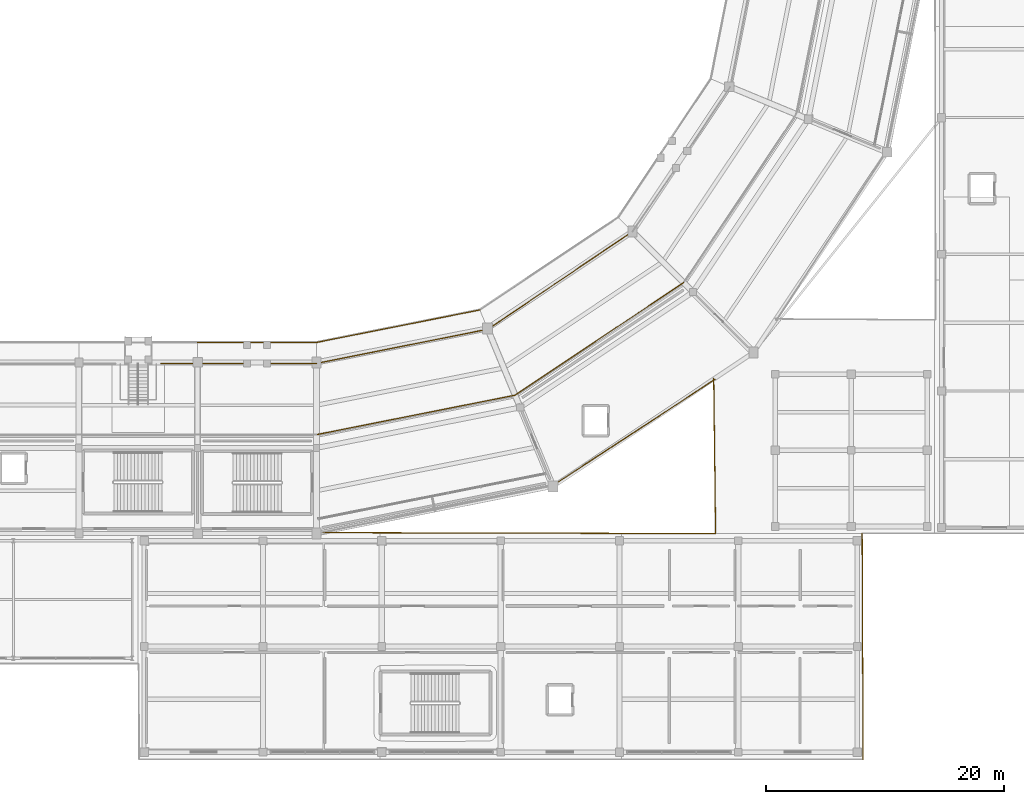
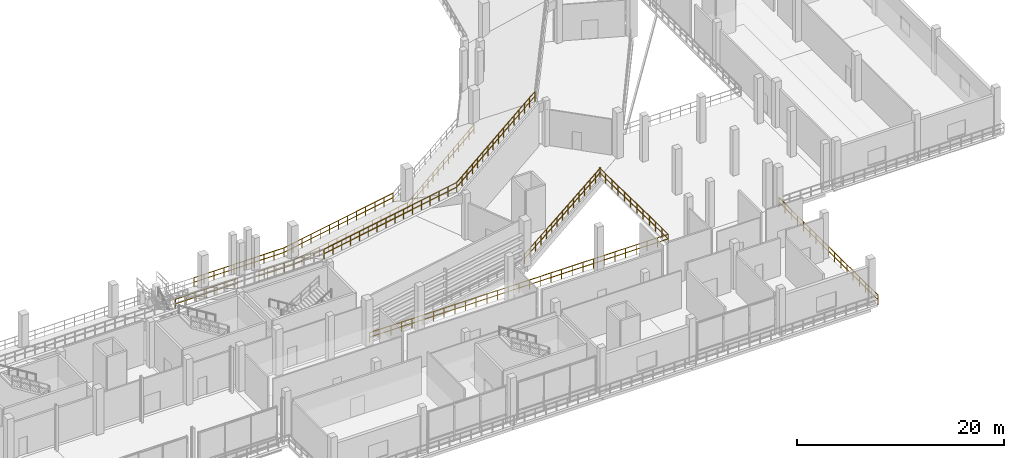
# One storey, part 112 of 127: 12 railings.
"""IFC4 building model written with IfcOpenShell, lengths in metres."""

from ifc_helpers import new_model, si_unit, direction, frame, origin, origin_2d, place, context, subcontext, project, spatial, circle, extrude, material, layer, layer_set, type_object, element, save


model = new_model("IFC4")

# Units and contexts
model_context = context("Model", 3, precision=1e-05, world=origin(), true_north=direction((0.0, 1.0)))
body_context = subcontext(model_context, "Body", "Model", "MODEL_VIEW")
ifc_project = project(units=[si_unit("LENGTHUNIT", "METRE"), si_unit("AREAUNIT", "SQUARE_METRE"), si_unit("VOLUMEUNIT", "CUBIC_METRE"), si_unit("PLANEANGLEUNIT", "RADIAN"), si_unit("MASSUNIT", "GRAM", prefix="KILO")], contexts=[model_context])

# Site, building, storey
site_placement = place(None, origin())
site = spatial("IfcSite", under=ifc_project, at=site_placement, CompositionType="ELEMENT")
building_placement = place(site_placement, origin())
building = spatial("IfcBuilding", under=site, at=building_placement, Name="Candeia Ridge Stadium", CompositionType="ELEMENT")
storey_placement = place(building_placement, frame((0.0, 0.0, 10.800048828125)))
storey = spatial("IfcBuildingStorey", under=building, at=storey_placement, Name="L02", CompositionType="ELEMENT", Elevation=10.800048828125)

# Railings
ifc_material = material(Name="Galvanized Powder-Coated Steel", Category="steel")
ifc_layer = layer(ifc_material, 0.074951171875, Name="Galvanized Powder-Coated Steel", Category="steel")
ifc_layer_set = layer_set([ifc_layer], Name="Galvanized Powder-Coated Steel")
railing_type = type_object("IfcRailingType", Name="Spectator Bowl Front Guardrail 1120", PredefinedType="GUARDRAIL", material=ifc_layer_set)
railing_1_placement = place(storey_placement, frame((131.0, 35.080078125, 0.39990234375)))
element("IfcRailing", 1, at=railing_1_placement, inside=storey, type_object=railing_type, Name="Stand T2 front safety guardrail bay 25", PredefinedType="GUARDRAIL", context=body_context, shape_type="SweptSolid", body=[
    extrude(circle(Radius=0.02392578125, at=origin_2d()), frame((0.0, 0.0, 1.09619140625), z_axis=(1.0, 0.0, 0.0), x_axis=(0.0, 1.0, 0.0)), (0.0, 0.0, 1.0), 10.0),
    extrude(circle(Radius=0.02392578125, at=origin_2d()), frame((0.0, 0.0, 0.56005859375), z_axis=(1.0, 0.0, 0.0), x_axis=(0.0, 1.0, 0.0)), (0.0, 0.0, 1.0), 10.0),
    extrude(circle(Radius=0.02099609375, at=origin_2d()), origin(), (0.0, 0.0, 1.0), 1.072021484375),
    extrude(circle(Radius=0.02099609375, at=origin_2d()), frame((1.111083984375, 0.0, 0.0)), (0.0, 0.0, 1.0), 1.072021484375),
    extrude(circle(Radius=0.02099609375, at=origin_2d()), frame((2.22216796875, 0.0, 0.0)), (0.0, 0.0, 1.0), 1.072021484375),
    extrude(circle(Radius=0.02099609375, at=origin_2d()), frame((3.333251953125, 0.0, 0.0)), (0.0, 0.0, 1.0), 1.072021484375),
    extrude(circle(Radius=0.02099609375, at=origin_2d()), frame((4.4443359375, 0.0, 0.0)), (0.0, 0.0, 1.0), 1.072021484375),
    extrude(circle(Radius=0.02099609375, at=origin_2d()), frame((5.5556640625, 0.0, 0.0)), (0.0, 0.0, 1.0), 1.072021484375),
    extrude(circle(Radius=0.02099609375, at=origin_2d()), frame((6.666748046875, 0.0, 0.0)), (0.0, 0.0, 1.0), 1.072021484375),
    extrude(circle(Radius=0.02099609375, at=origin_2d()), frame((7.77783203125, 0.0, 0.0)), (0.0, 0.0, 1.0), 1.072021484375),
    extrude(circle(Radius=0.02099609375, at=origin_2d()), frame((8.888916015625, 0.0, 0.0)), (0.0, 0.0, 1.0), 1.072021484375),
    extrude(circle(Radius=0.02099609375, at=origin_2d()), frame((10.0, 0.0, 0.0)), (0.0, 0.0, 1.0), 1.072021484375),
])
railing_2_placement = place(storey_placement, frame((141.0, 35.080078125, 0.39990234375)))
element("IfcRailing", 2, at=railing_2_placement, inside=storey, type_object=railing_type, Name="Stand T2 front safety guardrail bay 26", PredefinedType="GUARDRAIL", context=body_context, shape_type="SweptSolid", body=[
    extrude(circle(Radius=0.02392578125, at=origin_2d()), frame((0.0, 0.0, 1.09619140625), z_axis=(0.980787153323, 0.195080905976, 0.0), x_axis=(-0.195080905976, 0.980787153323, 0.0)), (0.0, 0.0, 1.0), 14.015380859375),
    extrude(circle(Radius=0.02392578125, at=origin_2d()), frame((0.0, 0.0, 0.56005859375), z_axis=(0.980787153323, 0.195080905976, 0.0), x_axis=(-0.195080905976, 0.980787153323, 0.0)), (0.0, 0.0, 1.0), 14.015380859375),
    extrude(circle(Radius=0.02099609375, at=origin_2d()), origin(), (0.0, 0.0, 1.0), 1.072021484375),
    extrude(circle(Radius=0.02099609375, at=origin_2d()), frame((1.1455078125, 0.227783203125, 0.0)), (0.0, 0.0, 1.0), 1.072021484375),
    extrude(circle(Radius=0.02099609375, at=origin_2d()), frame((2.291015625, 0.45556640625, 0.0)), (0.0, 0.0, 1.0), 1.072021484375),
    extrude(circle(Radius=0.02099609375, at=origin_2d()), frame((3.4365234375, 0.68359375, 0.0)), (0.0, 0.0, 1.0), 1.072021484375),
    extrude(circle(Radius=0.02099609375, at=origin_2d()), frame((4.58203125, 0.911376953125, 0.0)), (0.0, 0.0, 1.0), 1.072021484375),
    extrude(circle(Radius=0.02099609375, at=origin_2d()), frame((5.7275390625, 1.13916015625, 0.0)), (0.0, 0.0, 1.0), 1.072021484375),
    extrude(circle(Radius=0.02099609375, at=origin_2d()), frame((6.873046875, 1.3671875, 0.0)), (0.0, 0.0, 1.0), 1.072021484375),
    extrude(circle(Radius=0.02099609375, at=origin_2d()), frame((8.0185546875, 1.594970703125, 0.0)), (0.0, 0.0, 1.0), 1.072021484375),
    extrude(circle(Radius=0.02099609375, at=origin_2d()), frame((9.1640625, 1.82275390625, 0.0)), (0.0, 0.0, 1.0), 1.072021484375),
    extrude(circle(Radius=0.02099609375, at=origin_2d()), frame((10.3095703125, 2.050537109375, 0.0)), (0.0, 0.0, 1.0), 1.072021484375),
    extrude(circle(Radius=0.02099609375, at=origin_2d()), frame((11.455078125, 2.2783203125, 0.0)), (0.0, 0.0, 1.0), 1.072021484375),
    extrude(circle(Radius=0.02099609375, at=origin_2d()), frame((12.6005859375, 2.50634765625, 0.0)), (0.0, 0.0, 1.0), 1.072021484375),
    extrude(circle(Radius=0.02099609375, at=origin_2d()), frame((13.74609375, 2.734130859375, 0.0)), (0.0, 0.0, 1.0), 1.072021484375),
])
railing_3_placement = place(storey_placement, frame((141.0, 27.320068359375, 4.949951171875)))
element("IfcRailing", 3, at=railing_3_placement, inside=storey, type_object=railing_type, Name="Stand T2 rear safety guardrail bay 26", PredefinedType="GUARDRAIL", context=body_context, shape_type="SweptSolid", body=[
    extrude(circle(Radius=0.02392578125, at=origin_2d()), frame((0.0, 0.0, 1.09619140625), z_axis=(0.980785096916, 0.195091244467, 0.0), x_axis=(-0.195091244467, 0.980785096916, 0.0)), (0.0, 0.0, 1.0), 17.04296875),
    extrude(circle(Radius=0.02392578125, at=origin_2d()), frame((0.0, 0.0, 0.56005859375), z_axis=(0.980785096916, 0.195091244467, 0.0), x_axis=(-0.195091244467, 0.980785096916, 0.0)), (0.0, 0.0, 1.0), 17.04296875),
    extrude(circle(Radius=0.02099609375, at=origin_2d()), origin(), (0.0, 0.0, 1.0), 1.072021484375),
    extrude(circle(Radius=0.02099609375, at=origin_2d()), frame((1.1142578125, 0.2216796875, 0.0)), (0.0, 0.0, 1.0), 1.072021484375),
    extrude(circle(Radius=0.02099609375, at=origin_2d()), frame((2.228759765625, 0.443359375, 0.0)), (0.0, 0.0, 1.0), 1.072021484375),
    extrude(circle(Radius=0.02099609375, at=origin_2d()), frame((3.343017578125, 0.6650390625, 0.0)), (0.0, 0.0, 1.0), 1.072021484375),
    extrude(circle(Radius=0.02099609375, at=origin_2d()), frame((4.45751953125, 0.88671875, 0.0)), (0.0, 0.0, 1.0), 1.072021484375),
    extrude(circle(Radius=0.02099609375, at=origin_2d()), frame((5.57177734375, 1.1083984375, 0.0)), (0.0, 0.0, 1.0), 1.072021484375),
    extrude(circle(Radius=0.02099609375, at=origin_2d()), frame((6.686279296875, 1.330078125, 0.0)), (0.0, 0.0, 1.0), 1.072021484375),
    extrude(circle(Radius=0.02099609375, at=origin_2d()), frame((7.800537109375, 1.5517578125, 0.0)), (0.0, 0.0, 1.0), 1.072021484375),
    extrude(circle(Radius=0.02099609375, at=origin_2d()), frame((8.9150390625, 1.773193359375, 0.0)), (0.0, 0.0, 1.0), 1.072021484375),
    extrude(circle(Radius=0.02099609375, at=origin_2d()), frame((10.029296875, 1.994873046875, 0.0)), (0.0, 0.0, 1.0), 1.072021484375),
    extrude(circle(Radius=0.02099609375, at=origin_2d()), frame((11.143798828125, 2.216552734375, 0.0)), (0.0, 0.0, 1.0), 1.072021484375),
    extrude(circle(Radius=0.02099609375, at=origin_2d()), frame((12.258056640625, 2.438232421875, 0.0)), (0.0, 0.0, 1.0), 1.072021484375),
    extrude(circle(Radius=0.02099609375, at=origin_2d()), frame((13.37255859375, 2.659912109375, 0.0)), (0.0, 0.0, 1.0), 1.072021484375),
    extrude(circle(Radius=0.02099609375, at=origin_2d()), frame((14.48681640625, 2.881591796875, 0.0)), (0.0, 0.0, 1.0), 1.072021484375),
    extrude(circle(Radius=0.02099609375, at=origin_2d()), frame((15.601318359375, 3.103271484375, 0.0)), (0.0, 0.0, 1.0), 1.072021484375),
    extrude(circle(Radius=0.02099609375, at=origin_2d()), frame((16.715576171875, 3.324951171875, 0.0)), (0.0, 0.0, 1.0), 1.072021484375),
])
railing_4_placement = place(storey_placement, frame((157.715576171875, 30.64501953125, 4.949951171875)))
element("IfcRailing", 4, at=railing_4_placement, inside=storey, type_object=railing_type, Name="Stand T2 rear safety guardrail bay 27", PredefinedType="GUARDRAIL", context=body_context, shape_type="SweptSolid", body=[
    extrude(circle(Radius=0.02392578125, at=origin_2d()), frame((0.0, 0.0, 1.09619140625), z_axis=(0.831474647059, 0.5555626979, 0.0), x_axis=(-0.5555626979, 0.831474647059, 0.0)), (0.0, 0.0, 1.0), 17.043212890625),
    extrude(circle(Radius=0.02392578125, at=origin_2d()), frame((0.0, 0.0, 0.56005859375), z_axis=(0.831474647059, 0.5555626979, 0.0), x_axis=(-0.5555626979, 0.831474647059, 0.0)), (0.0, 0.0, 1.0), 17.043212890625),
    extrude(circle(Radius=0.02099609375, at=origin_2d()), origin(), (0.0, 0.0, 1.0), 1.072021484375),
    extrude(circle(Radius=0.02099609375, at=origin_2d()), frame((0.94482421875, 0.63134765625, 0.0)), (0.0, 0.0, 1.0), 1.072021484375),
    extrude(circle(Radius=0.02099609375, at=origin_2d()), frame((1.889404296875, 1.262451171875, 0.0)), (0.0, 0.0, 1.0), 1.072021484375),
    extrude(circle(Radius=0.02099609375, at=origin_2d()), frame((2.834228515625, 1.893798828125, 0.0)), (0.0, 0.0, 1.0), 1.072021484375),
    extrude(circle(Radius=0.02099609375, at=origin_2d()), frame((3.77880859375, 2.52490234375, 0.0)), (0.0, 0.0, 1.0), 1.072021484375),
    extrude(circle(Radius=0.02099609375, at=origin_2d()), frame((4.7236328125, 3.15625, 0.0)), (0.0, 0.0, 1.0), 1.072021484375),
    extrude(circle(Radius=0.02099609375, at=origin_2d()), frame((5.66845703125, 3.787353515625, 0.0)), (0.0, 0.0, 1.0), 1.072021484375),
    extrude(circle(Radius=0.02099609375, at=origin_2d()), frame((6.613037109375, 4.418701171875, 0.0)), (0.0, 0.0, 1.0), 1.072021484375),
    extrude(circle(Radius=0.02099609375, at=origin_2d()), frame((7.557861328125, 5.0498046875, 0.0)), (0.0, 0.0, 1.0), 1.072021484375),
    extrude(circle(Radius=0.02099609375, at=origin_2d()), frame((8.50244140625, 5.68115234375, 0.0)), (0.0, 0.0, 1.0), 1.072021484375),
    extrude(circle(Radius=0.02099609375, at=origin_2d()), frame((9.447265625, 6.312255859375, 0.0)), (0.0, 0.0, 1.0), 1.072021484375),
    extrude(circle(Radius=0.02099609375, at=origin_2d()), frame((10.39208984375, 6.943603515625, 0.0)), (0.0, 0.0, 1.0), 1.072021484375),
    extrude(circle(Radius=0.02099609375, at=origin_2d()), frame((11.336669921875, 7.57470703125, 0.0)), (0.0, 0.0, 1.0), 1.072021484375),
    extrude(circle(Radius=0.02099609375, at=origin_2d()), frame((12.281494140625, 8.2060546875, 0.0)), (0.0, 0.0, 1.0), 1.072021484375),
    extrude(circle(Radius=0.02099609375, at=origin_2d()), frame((13.22607421875, 8.837158203125, 0.0)), (0.0, 0.0, 1.0), 1.072021484375),
    extrude(circle(Radius=0.02099609375, at=origin_2d()), frame((14.1708984375, 9.468505859375, 0.0)), (0.0, 0.0, 1.0), 1.072021484375),
])
railing_5_placement = place(storey_placement, frame((186.919921875, 19.0, 0.0)))
element("IfcRailing", 5, at=railing_5_placement, inside=storey, type_object=railing_type, Name="Deck edge safety guardrail GR-DE-L02-0065", PredefinedType="GUARDRAIL", context=body_context, shape_type="SweptSolid", body=[
    extrude(circle(Radius=0.02392578125, at=origin_2d()), frame((0.0, 0.0, 1.09619140625), z_axis=(0.004214600726, -0.999991118531, 0.0), x_axis=(0.999991118531, 0.004214600726, 0.0)), (0.0, 0.0, 1.0), 19.000244140625),
    extrude(circle(Radius=0.02392578125, at=origin_2d()), frame((0.0, 0.0, 0.56005859375), z_axis=(0.004214600726, -0.999991118531, 0.0), x_axis=(0.999991118531, 0.004214600726, 0.0)), (0.0, 0.0, 1.0), 19.000244140625),
    extrude(circle(Radius=0.02099609375, at=origin_2d()), origin(), (0.0, 0.0, 1.0), 1.072021484375),
    extrude(circle(Radius=0.02099609375, at=origin_2d()), frame((0.0048828125, -1.1875, 0.0)), (0.0, 0.0, 1.0), 1.072021484375),
    extrude(circle(Radius=0.02099609375, at=origin_2d()), frame((0.010009765625, -2.375, 0.0)), (0.0, 0.0, 1.0), 1.072021484375),
    extrude(circle(Radius=0.02099609375, at=origin_2d()), frame((0.01513671875, -3.5625, 0.0)), (0.0, 0.0, 1.0), 1.072021484375),
    extrude(circle(Radius=0.02099609375, at=origin_2d()), frame((0.02001953125, -4.75, 0.0)), (0.0, 0.0, 1.0), 1.072021484375),
    extrude(circle(Radius=0.02099609375, at=origin_2d()), frame((0.02490234375, -5.9375, 0.0)), (0.0, 0.0, 1.0), 1.072021484375),
    extrude(circle(Radius=0.02099609375, at=origin_2d()), frame((0.030029296875, -7.125, 0.0)), (0.0, 0.0, 1.0), 1.072021484375),
    extrude(circle(Radius=0.02099609375, at=origin_2d()), frame((0.03515625, -8.3125, 0.0)), (0.0, 0.0, 1.0), 1.072021484375),
    extrude(circle(Radius=0.02099609375, at=origin_2d()), frame((0.0400390625, -9.5, 0.0)), (0.0, 0.0, 1.0), 1.072021484375),
    extrude(circle(Radius=0.02099609375, at=origin_2d()), frame((0.044921875, -10.6875, 0.0)), (0.0, 0.0, 1.0), 1.072021484375),
    extrude(circle(Radius=0.02099609375, at=origin_2d()), frame((0.050048828125, -11.875, 0.0)), (0.0, 0.0, 1.0), 1.072021484375),
    extrude(circle(Radius=0.02099609375, at=origin_2d()), frame((0.05517578125, -13.0625, 0.0)), (0.0, 0.0, 1.0), 1.072021484375),
    extrude(circle(Radius=0.02099609375, at=origin_2d()), frame((0.06005859375, -14.25, 0.0)), (0.0, 0.0, 1.0), 1.072021484375),
    extrude(circle(Radius=0.02099609375, at=origin_2d()), frame((0.06494140625, -15.4375, 0.0)), (0.0, 0.0, 1.0), 1.072021484375),
    extrude(circle(Radius=0.02099609375, at=origin_2d()), frame((0.070068359375, -16.625, 0.0)), (0.0, 0.0, 1.0), 1.072021484375),
    extrude(circle(Radius=0.02099609375, at=origin_2d()), frame((0.0751953125, -17.8125, 0.0)), (0.0, 0.0, 1.0), 1.072021484375),
    extrude(circle(Radius=0.02099609375, at=origin_2d()), frame((0.080078125, -19.0, 0.0)), (0.0, 0.0, 1.0), 1.072021484375),
])
railing_6_placement = place(storey_placement, frame((127.90234375, 33.320068359375, 0.0)))
element("IfcRailing", 6, at=railing_6_placement, inside=storey, type_object=railing_type, Name="Deck edge safety guardrail GR-DE-L02-0085", PredefinedType="GUARDRAIL", context=body_context, shape_type="SweptSolid", body=[
    extrude(circle(Radius=0.02392578125, at=origin_2d()), frame((0.0, 0.0, 1.09619140625), z_axis=(1.0, 0.0, 0.0), x_axis=(0.0, 1.0, 0.0)), (0.0, 0.0, 1.0), 6.90771484375),
    extrude(circle(Radius=0.02392578125, at=origin_2d()), frame((0.0, 0.0, 0.56005859375), z_axis=(1.0, 0.0, 0.0), x_axis=(0.0, 1.0, 0.0)), (0.0, 0.0, 1.0), 6.90771484375),
    extrude(circle(Radius=0.02099609375, at=origin_2d()), origin(), (0.0, 0.0, 1.0), 1.072021484375),
    extrude(circle(Radius=0.02099609375, at=origin_2d()), frame((1.1513671875, 0.0, 0.0)), (0.0, 0.0, 1.0), 1.072021484375),
    extrude(circle(Radius=0.02099609375, at=origin_2d()), frame((2.302490234375, 0.0, 0.0)), (0.0, 0.0, 1.0), 1.072021484375),
    extrude(circle(Radius=0.02099609375, at=origin_2d()), frame((3.453857421875, 0.0, 0.0)), (0.0, 0.0, 1.0), 1.072021484375),
    extrude(circle(Radius=0.02099609375, at=origin_2d()), frame((4.605224609375, 0.0, 0.0)), (0.0, 0.0, 1.0), 1.072021484375),
    extrude(circle(Radius=0.02099609375, at=origin_2d()), frame((5.75634765625, 0.0, 0.0)), (0.0, 0.0, 1.0), 1.072021484375),
    extrude(circle(Radius=0.02099609375, at=origin_2d()), frame((6.90771484375, 0.0, 0.0)), (0.0, 0.0, 1.0), 1.072021484375),
])
railing_7_placement = place(storey_placement, frame((137.18994140625, 33.320068359375, 0.0)))
element("IfcRailing", 7, at=railing_7_placement, inside=storey, type_object=railing_type, Name="Deck edge safety guardrail GR-DE-L02-0086", PredefinedType="GUARDRAIL", context=body_context, shape_type="SweptSolid", body=[
    extrude(circle(Radius=0.02392578125, at=origin_2d()), frame((0.0, 0.0, 1.09619140625), z_axis=(0.999999926695, 0.000382897228, 0.0), x_axis=(-0.000382897228, 0.999999926695, 0.0)), (0.0, 0.0, 1.0), 3.82568359375),
    extrude(circle(Radius=0.02392578125, at=origin_2d()), frame((0.0, 0.0, 0.56005859375), z_axis=(0.999999926695, 0.000382897228, 0.0), x_axis=(-0.000382897228, 0.999999926695, 0.0)), (0.0, 0.0, 1.0), 3.82568359375),
    extrude(circle(Radius=0.02099609375, at=origin_2d()), origin(), (0.0, 0.0, 1.0), 1.072021484375),
    extrude(circle(Radius=0.02099609375, at=origin_2d()), frame((0.95654296875, 0.00048828125, 0.0)), (0.0, 0.0, 1.0), 1.072021484375),
    extrude(circle(Radius=0.02099609375, at=origin_2d()), frame((1.912841796875, 0.000732421875, 0.0)), (0.0, 0.0, 1.0), 1.072021484375),
    extrude(circle(Radius=0.02099609375, at=origin_2d()), frame((2.869140625, 0.0009765625, 0.0)), (0.0, 0.0, 1.0), 1.072021484375),
    extrude(circle(Radius=0.02099609375, at=origin_2d()), frame((3.82568359375, 0.00146484375, 0.0)), (0.0, 0.0, 1.0), 1.072021484375),
])
railing_8_placement = place(storey_placement, frame((141.015625, 33.321533203125, 0.0)))
element("IfcRailing", 8, at=railing_8_placement, inside=storey, type_object=railing_type, Name="Deck edge safety guardrail GR-DE-L02-0087", PredefinedType="GUARDRAIL", context=body_context, shape_type="SweptSolid", body=[
    extrude(circle(Radius=0.02392578125, at=origin_2d()), frame((0.0, 0.0, 1.09619140625), z_axis=(0.98070502773, 0.19549334665, 0.0), x_axis=(-0.19549334665, 0.98070502773, 0.0)), (0.0, 0.0, 1.0), 14.701416015625),
    extrude(circle(Radius=0.02392578125, at=origin_2d()), frame((0.0, 0.0, 0.56005859375), z_axis=(0.98070502773, 0.19549334665, 0.0), x_axis=(-0.19549334665, 0.98070502773, 0.0)), (0.0, 0.0, 1.0), 14.701416015625),
    extrude(circle(Radius=0.02099609375, at=origin_2d()), origin(), (0.0, 0.0, 1.0), 1.072021484375),
    extrude(circle(Radius=0.02099609375, at=origin_2d()), frame((1.109130859375, 0.22119140625, 0.0)), (0.0, 0.0, 1.0), 1.072021484375),
    extrude(circle(Radius=0.02099609375, at=origin_2d()), frame((2.218017578125, 0.442138671875, 0.0)), (0.0, 0.0, 1.0), 1.072021484375),
    extrude(circle(Radius=0.02099609375, at=origin_2d()), frame((3.3271484375, 0.663330078125, 0.0)), (0.0, 0.0, 1.0), 1.072021484375),
    extrude(circle(Radius=0.02099609375, at=origin_2d()), frame((4.436279296875, 0.88427734375, 0.0)), (0.0, 0.0, 1.0), 1.072021484375),
    extrude(circle(Radius=0.02099609375, at=origin_2d()), frame((5.545166015625, 1.10546875, 0.0)), (0.0, 0.0, 1.0), 1.072021484375),
    extrude(circle(Radius=0.02099609375, at=origin_2d()), frame((6.654296875, 1.326416015625, 0.0)), (0.0, 0.0, 1.0), 1.072021484375),
    extrude(circle(Radius=0.02099609375, at=origin_2d()), frame((7.763427734375, 1.547607421875, 0.0)), (0.0, 0.0, 1.0), 1.072021484375),
    extrude(circle(Radius=0.02099609375, at=origin_2d()), frame((8.87255859375, 1.7685546875, 0.0)), (0.0, 0.0, 1.0), 1.072021484375),
    extrude(circle(Radius=0.02099609375, at=origin_2d()), frame((9.9814453125, 1.98974609375, 0.0)), (0.0, 0.0, 1.0), 1.072021484375),
    extrude(circle(Radius=0.02099609375, at=origin_2d()), frame((11.090576171875, 2.210693359375, 0.0)), (0.0, 0.0, 1.0), 1.072021484375),
    extrude(circle(Radius=0.02099609375, at=origin_2d()), frame((12.19970703125, 2.431884765625, 0.0)), (0.0, 0.0, 1.0), 1.072021484375),
    extrude(circle(Radius=0.02099609375, at=origin_2d()), frame((13.30859375, 2.65283203125, 0.0)), (0.0, 0.0, 1.0), 1.072021484375),
    extrude(circle(Radius=0.02099609375, at=origin_2d()), frame((14.417724609375, 2.8740234375, 0.0)), (0.0, 0.0, 1.0), 1.072021484375),
])
railing_9_placement = place(storey_placement, frame((155.433349609375, 36.195556640625, 0.0)))
element("IfcRailing", 9, at=railing_9_placement, inside=storey, type_object=railing_type, Name="Deck edge safety guardrail GR-DE-L02-0088", PredefinedType="GUARDRAIL", context=body_context, shape_type="SweptSolid", body=[
    extrude(circle(Radius=0.02392578125, at=origin_2d()), frame((0.0, 0.0, 1.09619140625), z_axis=(0.828422855938, 0.560103179566, 0.0), x_axis=(-0.560103179566, 0.828422855938, 0.0)), (0.0, 0.0, 1.0), 14.6708984375),
    extrude(circle(Radius=0.02392578125, at=origin_2d()), frame((0.0, 0.0, 0.56005859375), z_axis=(0.828422855938, 0.560103179566, 0.0), x_axis=(-0.560103179566, 0.828422855938, 0.0)), (0.0, 0.0, 1.0), 14.6708984375),
    extrude(circle(Radius=0.02099609375, at=origin_2d()), origin(), (0.0, 0.0, 1.0), 1.072021484375),
    extrude(circle(Radius=0.02099609375, at=origin_2d()), frame((0.934814453125, 0.632080078125, 0.0)), (0.0, 0.0, 1.0), 1.072021484375),
    extrude(circle(Radius=0.02099609375, at=origin_2d()), frame((1.869873046875, 1.26416015625, 0.0)), (0.0, 0.0, 1.0), 1.072021484375),
    extrude(circle(Radius=0.02099609375, at=origin_2d()), frame((2.8046875, 1.896240234375, 0.0)), (0.0, 0.0, 1.0), 1.072021484375),
    extrude(circle(Radius=0.02099609375, at=origin_2d()), frame((3.73974609375, 2.5283203125, 0.0)), (0.0, 0.0, 1.0), 1.072021484375),
    extrude(circle(Radius=0.02099609375, at=origin_2d()), frame((4.674560546875, 3.160400390625, 0.0)), (0.0, 0.0, 1.0), 1.072021484375),
    extrude(circle(Radius=0.02099609375, at=origin_2d()), frame((5.609375, 3.79248046875, 0.0)), (0.0, 0.0, 1.0), 1.072021484375),
    extrude(circle(Radius=0.02099609375, at=origin_2d()), frame((6.54443359375, 4.4248046875, 0.0)), (0.0, 0.0, 1.0), 1.072021484375),
    extrude(circle(Radius=0.02099609375, at=origin_2d()), frame((7.479248046875, 5.056884765625, 0.0)), (0.0, 0.0, 1.0), 1.072021484375),
    extrude(circle(Radius=0.02099609375, at=origin_2d()), frame((8.4140625, 5.68896484375, 0.0)), (0.0, 0.0, 1.0), 1.072021484375),
    extrude(circle(Radius=0.02099609375, at=origin_2d()), frame((9.34912109375, 6.321044921875, 0.0)), (0.0, 0.0, 1.0), 1.072021484375),
    extrude(circle(Radius=0.02099609375, at=origin_2d()), frame((10.283935546875, 6.953125, 0.0)), (0.0, 0.0, 1.0), 1.072021484375),
    extrude(circle(Radius=0.02099609375, at=origin_2d()), frame((11.218994140625, 7.585205078125, 0.0)), (0.0, 0.0, 1.0), 1.072021484375),
    extrude(circle(Radius=0.02099609375, at=origin_2d()), frame((12.15380859375, 8.21728515625, 0.0)), (0.0, 0.0, 1.0), 1.072021484375),
])
railing_10_placement = place(storey_placement, frame((174.54443359375, 31.979248046875, 0.0)))
element("IfcRailing", 10, at=railing_10_placement, inside=storey, type_object=railing_type, Name="Deck edge safety guardrail GR-DE-L02-0119", PredefinedType="GUARDRAIL", context=body_context, shape_type="SweptSolid", body=[
    extrude(circle(Radius=0.02392578125, at=origin_2d()), frame((0.0, 0.0, 1.09619140625), z_axis=(-0.836677098571, -0.547696478651, 0.0), x_axis=(0.547696478651, -0.836677098571, 0.0)), (0.0, 0.0, 1.0), 16.3271484375),
    extrude(circle(Radius=0.02392578125, at=origin_2d()), frame((0.0, 0.0, 0.56005859375), z_axis=(-0.836677098571, -0.547696478651, 0.0), x_axis=(0.547696478651, -0.836677098571, 0.0)), (0.0, 0.0, 1.0), 16.3271484375),
    extrude(circle(Radius=0.02099609375, at=origin_2d()), origin(), (0.0, 0.0, 1.0), 1.072021484375),
    extrude(circle(Radius=0.02099609375, at=origin_2d()), frame((-0.975830078125, -0.638671875, 0.0)), (0.0, 0.0, 1.0), 1.072021484375),
    extrude(circle(Radius=0.02099609375, at=origin_2d()), frame((-1.951416015625, -1.277587890625, 0.0)), (0.0, 0.0, 1.0), 1.072021484375),
    extrude(circle(Radius=0.02099609375, at=origin_2d()), frame((-2.92724609375, -1.916259765625, 0.0)), (0.0, 0.0, 1.0), 1.072021484375),
    extrude(circle(Radius=0.02099609375, at=origin_2d()), frame((-3.903076171875, -2.554931640625, 0.0)), (0.0, 0.0, 1.0), 1.072021484375),
    extrude(circle(Radius=0.02099609375, at=origin_2d()), frame((-4.87890625, -3.193603515625, 0.0)), (0.0, 0.0, 1.0), 1.072021484375),
    extrude(circle(Radius=0.02099609375, at=origin_2d()), frame((-5.8544921875, -3.83251953125, 0.0)), (0.0, 0.0, 1.0), 1.072021484375),
    extrude(circle(Radius=0.02099609375, at=origin_2d()), frame((-6.830322265625, -4.47119140625, 0.0)), (0.0, 0.0, 1.0), 1.072021484375),
    extrude(circle(Radius=0.02099609375, at=origin_2d()), frame((-7.80615234375, -5.10986328125, 0.0)), (0.0, 0.0, 1.0), 1.072021484375),
    extrude(circle(Radius=0.02099609375, at=origin_2d()), frame((-8.78173828125, -5.748779296875, 0.0)), (0.0, 0.0, 1.0), 1.072021484375),
    extrude(circle(Radius=0.02099609375, at=origin_2d()), frame((-9.757568359375, -6.387451171875, 0.0)), (0.0, 0.0, 1.0), 1.072021484375),
    extrude(circle(Radius=0.02099609375, at=origin_2d()), frame((-10.7333984375, -7.026123046875, 0.0)), (0.0, 0.0, 1.0), 1.072021484375),
    extrude(circle(Radius=0.02099609375, at=origin_2d()), frame((-11.709228515625, -7.664794921875, 0.0)), (0.0, 0.0, 1.0), 1.072021484375),
    extrude(circle(Radius=0.02099609375, at=origin_2d()), frame((-12.684814453125, -8.3037109375, 0.0)), (0.0, 0.0, 1.0), 1.072021484375),
    extrude(circle(Radius=0.02099609375, at=origin_2d()), frame((-13.66064453125, -8.9423828125, 0.0)), (0.0, 0.0, 1.0), 1.072021484375),
])
railing_11_placement = place(storey_placement, frame((141.313720703125, 19.080078125, 0.0)))
element("IfcRailing", 11, at=railing_11_placement, inside=storey, type_object=railing_type, Name="Deck edge safety guardrail GR-DE-L02-0121", PredefinedType="GUARDRAIL", context=body_context, shape_type="SweptSolid", body=[
    extrude(circle(Radius=0.02392578125, at=origin_2d()), frame((0.0, 0.0, 1.09619140625), z_axis=(0.999997102754, -0.002407173469, 0.0), x_axis=(0.002407173469, 0.999997102754, 0.0)), (0.0, 0.0, 1.0), 33.266357421875),
    extrude(circle(Radius=0.02392578125, at=origin_2d()), frame((0.0, 0.0, 0.56005859375), z_axis=(0.999997102754, -0.002407173469, 0.0), x_axis=(0.002407173469, 0.999997102754, 0.0)), (0.0, 0.0, 1.0), 33.266357421875),
    extrude(circle(Radius=0.02099609375, at=origin_2d()), origin(), (0.0, 0.0, 1.0), 1.072021484375),
    extrude(circle(Radius=0.02099609375, at=origin_2d()), frame((1.18798828125, -0.0029296875, 0.0)), (0.0, 0.0, 1.0), 1.072021484375),
    extrude(circle(Radius=0.02099609375, at=origin_2d()), frame((2.376220703125, -0.005615234375, 0.0)), (0.0, 0.0, 1.0), 1.072021484375),
    extrude(circle(Radius=0.02099609375, at=origin_2d()), frame((3.564208984375, -0.008544921875, 0.0)), (0.0, 0.0, 1.0), 1.072021484375),
    extrude(circle(Radius=0.02099609375, at=origin_2d()), frame((4.75244140625, -0.011474609375, 0.0)), (0.0, 0.0, 1.0), 1.072021484375),
    extrude(circle(Radius=0.02099609375, at=origin_2d()), frame((5.9404296875, -0.014404296875, 0.0)), (0.0, 0.0, 1.0), 1.072021484375),
    extrude(circle(Radius=0.02099609375, at=origin_2d()), frame((7.12841796875, -0.01708984375, 0.0)), (0.0, 0.0, 1.0), 1.072021484375),
    extrude(circle(Radius=0.02099609375, at=origin_2d()), frame((8.316650390625, -0.02001953125, 0.0)), (0.0, 0.0, 1.0), 1.072021484375),
    extrude(circle(Radius=0.02099609375, at=origin_2d()), frame((9.504638671875, -0.02294921875, 0.0)), (0.0, 0.0, 1.0), 1.072021484375),
    extrude(circle(Radius=0.02099609375, at=origin_2d()), frame((10.69287109375, -0.025634765625, 0.0)), (0.0, 0.0, 1.0), 1.072021484375),
    extrude(circle(Radius=0.02099609375, at=origin_2d()), frame((11.880859375, -0.028564453125, 0.0)), (0.0, 0.0, 1.0), 1.072021484375),
    extrude(circle(Radius=0.02099609375, at=origin_2d()), frame((13.06884765625, -0.031494140625, 0.0)), (0.0, 0.0, 1.0), 1.072021484375),
    extrude(circle(Radius=0.02099609375, at=origin_2d()), frame((14.257080078125, -0.034423828125, 0.0)), (0.0, 0.0, 1.0), 1.072021484375),
    extrude(circle(Radius=0.02099609375, at=origin_2d()), frame((15.445068359375, -0.037109375, 0.0)), (0.0, 0.0, 1.0), 1.072021484375),
    extrude(circle(Radius=0.02099609375, at=origin_2d()), frame((16.63330078125, -0.0400390625, 0.0)), (0.0, 0.0, 1.0), 1.072021484375),
    extrude(circle(Radius=0.02099609375, at=origin_2d()), frame((17.8212890625, -0.04296875, 0.0)), (0.0, 0.0, 1.0), 1.072021484375),
    extrude(circle(Radius=0.02099609375, at=origin_2d()), frame((19.00927734375, -0.045654296875, 0.0)), (0.0, 0.0, 1.0), 1.072021484375),
    extrude(circle(Radius=0.02099609375, at=origin_2d()), frame((20.197509765625, -0.048583984375, 0.0)), (0.0, 0.0, 1.0), 1.072021484375),
    extrude(circle(Radius=0.02099609375, at=origin_2d()), frame((21.385498046875, -0.051513671875, 0.0)), (0.0, 0.0, 1.0), 1.072021484375),
    extrude(circle(Radius=0.02099609375, at=origin_2d()), frame((22.573486328125, -0.054443359375, 0.0)), (0.0, 0.0, 1.0), 1.072021484375),
    extrude(circle(Radius=0.02099609375, at=origin_2d()), frame((23.76171875, -0.05712890625, 0.0)), (0.0, 0.0, 1.0), 1.072021484375),
    extrude(circle(Radius=0.02099609375, at=origin_2d()), frame((24.94970703125, -0.06005859375, 0.0)), (0.0, 0.0, 1.0), 1.072021484375),
    extrude(circle(Radius=0.02099609375, at=origin_2d()), frame((26.137939453125, -0.06298828125, 0.0)), (0.0, 0.0, 1.0), 1.072021484375),
    extrude(circle(Radius=0.02099609375, at=origin_2d()), frame((27.325927734375, -0.065673828125, 0.0)), (0.0, 0.0, 1.0), 1.072021484375),
    extrude(circle(Radius=0.02099609375, at=origin_2d()), frame((28.513916015625, -0.068603515625, 0.0)), (0.0, 0.0, 1.0), 1.072021484375),
    extrude(circle(Radius=0.02099609375, at=origin_2d()), frame((29.7021484375, -0.071533203125, 0.0)), (0.0, 0.0, 1.0), 1.072021484375),
    extrude(circle(Radius=0.02099609375, at=origin_2d()), frame((30.89013671875, -0.074462890625, 0.0)), (0.0, 0.0, 1.0), 1.072021484375),
    extrude(circle(Radius=0.02099609375, at=origin_2d()), frame((32.078369140625, -0.0771484375, 0.0)), (0.0, 0.0, 1.0), 1.072021484375),
    extrude(circle(Radius=0.02099609375, at=origin_2d()), frame((33.266357421875, -0.080078125, 0.0)), (0.0, 0.0, 1.0), 1.072021484375),
])
railing_12_placement = place(storey_placement, frame((174.580078125, 19.0, 0.0)))
element("IfcRailing", 12, at=railing_12_placement, inside=storey, type_object=railing_type, Name="Deck edge safety guardrail GR-DE-L02-0122", PredefinedType="GUARDRAIL", context=body_context, shape_type="SweptSolid", body=[
    extrude(circle(Radius=0.02392578125, at=origin_2d()), frame((0.0, 0.0, 1.09619140625), z_axis=(-0.012275443015, 0.999924653911, 0.0), x_axis=(-0.999924653911, -0.012275443015, 0.0)), (0.0, 0.0, 1.0), 13.046875),
    extrude(circle(Radius=0.02392578125, at=origin_2d()), frame((0.0, 0.0, 0.56005859375), z_axis=(-0.012275443015, 0.999924653911, 0.0), x_axis=(-0.999924653911, -0.012275443015, 0.0)), (0.0, 0.0, 1.0), 13.046875),
    extrude(circle(Radius=0.02099609375, at=origin_2d()), origin(), (0.0, 0.0, 1.0), 1.072021484375),
    extrude(circle(Radius=0.02099609375, at=origin_2d()), frame((-0.0146484375, 1.18603515625, 0.0)), (0.0, 0.0, 1.0), 1.072021484375),
    extrude(circle(Radius=0.02099609375, at=origin_2d()), frame((-0.029052734375, 2.3720703125, 0.0)), (0.0, 0.0, 1.0), 1.072021484375),
    extrude(circle(Radius=0.02099609375, at=origin_2d()), frame((-0.043701171875, 3.557861328125, 0.0)), (0.0, 0.0, 1.0), 1.072021484375),
    extrude(circle(Radius=0.02099609375, at=origin_2d()), frame((-0.058349609375, 4.743896484375, 0.0)), (0.0, 0.0, 1.0), 1.072021484375),
    extrude(circle(Radius=0.02099609375, at=origin_2d()), frame((-0.07275390625, 5.929931640625, 0.0)), (0.0, 0.0, 1.0), 1.072021484375),
    extrude(circle(Radius=0.02099609375, at=origin_2d()), frame((-0.08740234375, 7.115966796875, 0.0)), (0.0, 0.0, 1.0), 1.072021484375),
    extrude(circle(Radius=0.02099609375, at=origin_2d()), frame((-0.101806640625, 8.302001953125, 0.0)), (0.0, 0.0, 1.0), 1.072021484375),
    extrude(circle(Radius=0.02099609375, at=origin_2d()), frame((-0.116455078125, 9.488037109375, 0.0)), (0.0, 0.0, 1.0), 1.072021484375),
    extrude(circle(Radius=0.02099609375, at=origin_2d()), frame((-0.131103515625, 10.673828125, 0.0)), (0.0, 0.0, 1.0), 1.072021484375),
    extrude(circle(Radius=0.02099609375, at=origin_2d()), frame((-0.1455078125, 11.85986328125, 0.0)), (0.0, 0.0, 1.0), 1.072021484375),
    extrude(circle(Radius=0.02099609375, at=origin_2d()), frame((-0.16015625, 13.0458984375, 0.0)), (0.0, 0.0, 1.0), 1.072021484375),
])

save(model, "model.ifc")
